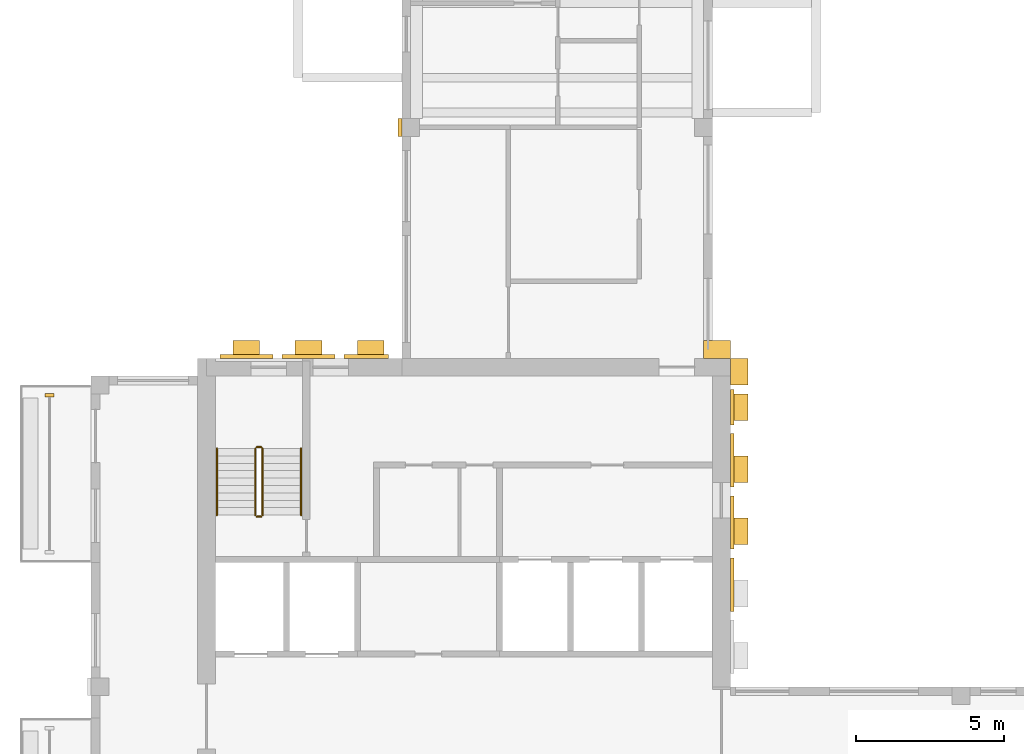
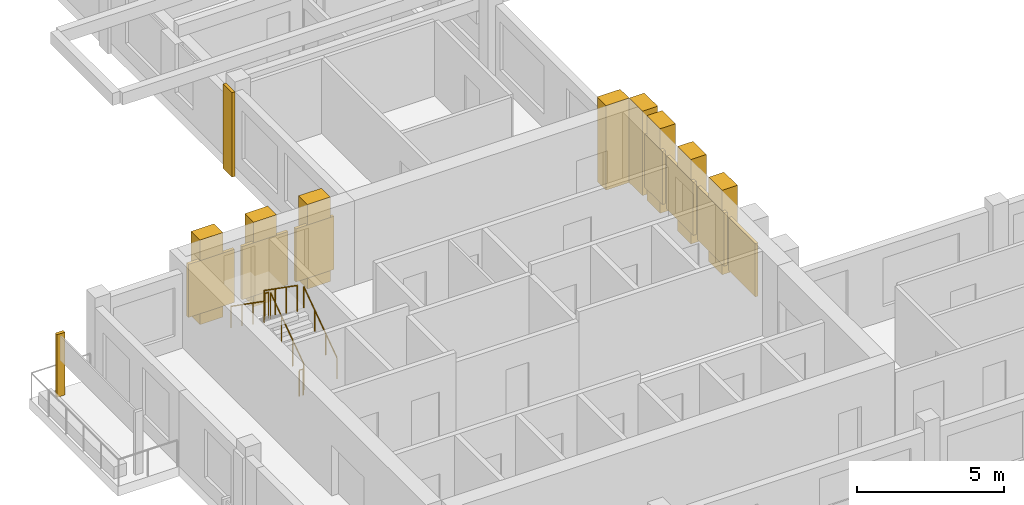
# One storey, part 8 of 10: 17 coverings, 6 railings.
"""IFC4 building model written with IfcOpenShell, lengths in metres."""

from ifc_helpers import new_model, si_unit, direction, frame, origin, origin_2d, place, context, subcontext, project, spatial, rectangle, circle, extrude, source, transform, mapped, material, type_object, element, save


model = new_model("IFC4")

# Units and contexts
model_context = context("Model", 3, precision=1e-05, world=origin(), true_north=direction((0.0, 1.0)))
body_context = subcontext(model_context, "Body", "Model", "MODEL_VIEW")
ifc_project = project(units=[si_unit("LENGTHUNIT", "METRE"), si_unit("AREAUNIT", "SQUARE_METRE"), si_unit("VOLUMEUNIT", "CUBIC_METRE"), si_unit("PLANEANGLEUNIT", "RADIAN"), si_unit("MASSUNIT", "GRAM", prefix="KILO")], contexts=[model_context])

# Site, building, storey
site_placement = place(None, origin())
site = spatial("IfcSite", under=ifc_project, at=site_placement, CompositionType="ELEMENT")
building_placement = place(site_placement, origin())
building = spatial("IfcBuilding", under=site, at=building_placement, Name="Aurelian Terraces", CompositionType="ELEMENT")
storey_placement = place(building_placement, frame((0.0, 0.0, 326.5)))
storey = spatial("IfcBuildingStorey", under=building, at=storey_placement, Name="L76", CompositionType="ELEMENT", Elevation=326.5)

# Coverings
ifc_material_1 = material(Name="Terracotta rainscreen cladding relief", Category="masonry")
covering_type_1 = type_object("IfcCoveringType", Name="FIN-TC", PredefinedType="CLADDING", material=ifc_material_1)
shared_shape_1 = source(origin(), body_context, "Body", "SweptSolid", [
    extrude(rectangle(XDim=0.3, YDim=0.12, at=origin_2d()), origin(), (0.0, 0.0, 1.0), 2.6),
])
covering_1_placement = place(storey_placement, frame((-1.4, 20.35, 0.0), z_axis=(0.0, 0.0, 1.0), x_axis=(1.0, 0.0, 0.0)))
element("IfcCovering", 1, at=covering_1_placement, inside=storey, type_object=covering_type_1, Name="FIN L76 L76-F12-20.1", PredefinedType="CLADDING", context=body_context, shape_type="MappedRepresentation", body=[
    mapped(shared_shape_1, transform((0.0, 0.0, 0.0), scale=1.0)),
])
ifc_material_2 = material(Name="Terracotta rainscreen cladding louvre blades", Category="masonry")
covering_type_2 = type_object("IfcCoveringType", Name="LOUVRE-TC", PredefinedType="CLADDING", material=ifc_material_2)
shared_shape_2 = source(origin(), body_context, "Body", "SweptSolid", [
    extrude(rectangle(XDim=0.12, YDim=1.8, at=origin_2d()), origin(), (0.0, 0.0, 1.0), 2.2),
])
for number, where, z_axis, x_axis, name in (
    (2, (21.66, 13.95, 0.45), (0.0, 0.0, 1.0), (1.0, 0.0, 0.0), "LOUVRE L76 core face E.2"),
    (3, (21.66, 16.05, 0.45), (0.0, 0.0, 1.0), (1.0, 0.0, 0.0), "LOUVRE L76 core face E.3"),
    (4, (21.66, 18.15, 0.45), (0.0, 0.0, 1.0), (1.0, 0.0, 0.0), "LOUVRE L76 core face E.4"),
):
    element("IfcCovering", number, at=place(storey_placement, frame(where, z_axis=z_axis, x_axis=x_axis)), inside=storey, type_object=covering_type_2, Name=name, PredefinedType="CLADDING", context=body_context, shape_type="MappedRepresentation", body=[
        mapped(shared_shape_2, transform((0.0, 0.0, 0.0), scale=1.0)),
    ])
shared_shape_3 = source(origin(), body_context, "Body", "SweptSolid", [
    extrude(rectangle(XDim=1.8, YDim=0.12, at=origin_2d()), origin(), (0.0, 0.0, 1.0), 2.2),
])
for number, where, z_axis, x_axis, name in (
    (5, (5.25, 21.66, 0.45), (0.0, 0.0, 1.0), (1.0, 0.0, 0.0), "LOUVRE L76 core face N.1"),
    (6, (7.35, 21.66, 0.45), (0.0, 0.0, 1.0), (1.0, 0.0, 0.0), "LOUVRE L76 core face N.2"),
):
    element("IfcCovering", number, at=place(storey_placement, frame(where, z_axis=z_axis, x_axis=x_axis)), inside=storey, type_object=covering_type_2, Name=name, PredefinedType="CLADDING", context=body_context, shape_type="MappedRepresentation", body=[
        mapped(shared_shape_3, transform((0.0, 0.0, 0.0), scale=1.0)),
    ])
shared_shape_4 = source(origin(), body_context, "Body", "SweptSolid", [
    extrude(rectangle(XDim=0.12, YDim=1.2, at=origin_2d()), origin(), (0.0, 0.0, 1.0), 2.2),
])
covering_2_placement = place(storey_placement, frame((21.66, 19.95, 0.45), z_axis=(0.0, 0.0, 1.0), x_axis=(1.0, 0.0, 0.0)))
element("IfcCovering", 7, at=covering_2_placement, inside=storey, type_object=covering_type_2, Name="LOUVRE L76 core face E.5", PredefinedType="CLADDING", context=body_context, shape_type="MappedRepresentation", body=[
    mapped(shared_shape_4, transform((0.0, 0.0, 0.0), scale=1.0)),
])
shared_shape_5 = source(origin(), body_context, "Body", "SweptSolid", [
    extrude(rectangle(XDim=1.5, YDim=0.12, at=origin_2d()), origin(), (0.0, 0.0, 1.0), 2.2),
])
covering_3_placement = place(storey_placement, frame((9.3, 21.66, 0.45), z_axis=(0.0, 0.0, 1.0), x_axis=(1.0, 0.0, 0.0)))
element("IfcCovering", 8, at=covering_3_placement, inside=storey, type_object=covering_type_2, Name="LOUVRE L76 core face N.3", PredefinedType="CLADDING", context=body_context, shape_type="MappedRepresentation", body=[
    mapped(shared_shape_5, transform((0.0, 0.0, 0.0), scale=1.0)),
])
covering_type_3 = type_object("IfcCoveringType", Name="BAGUETTE-TC", PredefinedType="CLADDING", material=ifc_material_1)
shared_shape_6 = source(origin(), body_context, "Body", "SweptSolid", [
    extrude(rectangle(XDim=0.12, YDim=0.6, at=origin_2d()), origin(), (0.0, 0.0, 1.0), 3.5),
])
covering_4_placement = place(storey_placement, frame((10.44, 29.4, -0.4), z_axis=(0.0, 0.0, 1.0), x_axis=(1.0, 0.0, 0.0)))
element("IfcCovering", 9, at=covering_4_placement, inside=storey, type_object=covering_type_3, Name="BAGUETTE pier L76 6", PredefinedType="CLADDING", context=body_context, shape_type="MappedRepresentation", body=[
    mapped(shared_shape_6, transform((0.0, 0.0, 0.0), scale=1.0)),
])

# Railings
ifc_material_3 = material(Name="Stainless steel", Category="steel")
railing_type_1 = type_object("IfcRailingType", Name="Stair guard 1100", PredefinedType="GUARDRAIL", material=ifc_material_3)
shared_shape_7 = source(origin(), body_context, "Body", "SweptSolid", [
    extrude(circle(Radius=0.024, at=origin_2d()), frame((0.0, 0.0, 1.076), z_axis=(-1.0, 0.0, 0.0), x_axis=(0.0, -1.0, 0.0)), (0.0, 0.0, 1.0), 0.15),
    extrude(circle(Radius=0.021, at=origin_2d()), origin(), (0.0, 0.0, 1.0), 1.052),
    extrude(circle(Radius=0.021, at=origin_2d()), frame((-0.15, 0.0, 0.0)), (0.0, 0.0, 1.0), 1.052),
])
for number, where, name in (
    (10, (5.75, 18.6, 1.75), "L76 S1 stair guard 2"),
    (11, (5.75, 16.25, 0.0), "L76 S1 stair guard 4"),
):
    element("IfcRailing", number, at=place(storey_placement, frame(where)), inside=storey, type_object=railing_type_1, Name=name, PredefinedType="GUARDRAIL", context=body_context, shape_type="MappedRepresentation", body=[
        mapped(shared_shape_7, transform((0.0, 0.0, 0.0), scale=1.0)),
    ])
shared_shape_8 = source(origin(), body_context, "Body", "SweptSolid", [
    extrude(circle(Radius=0.024, at=origin_2d()), frame((0.0, 0.0, 1.076), z_axis=(0.0, 0.819231920519, 0.573462344363), x_axis=(-1.0, 0.0, 0.0)), (0.0, 0.0, 1.0), 2.7465),
    extrude(circle(Radius=0.021, at=origin_2d()), origin(), (0.0, 0.0, 1.0), 1.052),
    extrude(circle(Radius=0.021, at=origin_2d()), frame((0.0, 0.75, 0.525)), (0.0, 0.0, 1.0), 1.052),
    extrude(circle(Radius=0.021, at=origin_2d()), frame((0.0, 1.5, 1.05)), (0.0, 0.0, 1.0), 1.052),
    extrude(circle(Radius=0.021, at=origin_2d()), frame((0.0, 2.25, 1.575)), (0.0, 0.0, 1.0), 1.052),
])
railing_1_placement = place(storey_placement, frame((5.8, 16.3, 0.175)))
element("IfcRailing", 12, at=railing_1_placement, inside=storey, type_object=railing_type_1, Name="L76 S1 stair guard 1", PredefinedType="GUARDRAIL", context=body_context, shape_type="MappedRepresentation", body=[
    mapped(shared_shape_8, transform((0.0, 0.0, 0.0), scale=1.0)),
])
shared_shape_9 = source(origin(), body_context, "Body", "SweptSolid", [
    extrude(circle(Radius=0.024, at=origin_2d()), frame((0.0, 0.0, 1.076), z_axis=(0.0, -0.819231920519, 0.573462344363), x_axis=(1.0, 0.0, 0.0)), (0.0, 0.0, 1.0), 2.7465),
    extrude(circle(Radius=0.021, at=origin_2d()), origin(), (0.0, 0.0, 1.0), 1.052),
    extrude(circle(Radius=0.021, at=origin_2d()), frame((0.0, -0.75, 0.525)), (0.0, 0.0, 1.0), 1.052),
    extrude(circle(Radius=0.021, at=origin_2d()), frame((0.0, -1.5, 1.05)), (0.0, 0.0, 1.0), 1.052),
    extrude(circle(Radius=0.021, at=origin_2d()), frame((0.0, -2.25, 1.575)), (0.0, 0.0, 1.0), 1.052),
])
railing_2_placement = place(storey_placement, frame((5.55, 18.55, 1.925)))
element("IfcRailing", 13, at=railing_2_placement, inside=storey, type_object=railing_type_1, Name="L76 S1 stair guard 3", PredefinedType="GUARDRAIL", context=body_context, shape_type="MappedRepresentation", body=[
    mapped(shared_shape_9, transform((0.0, 0.0, 0.0), scale=1.0)),
])
railing_type_2 = type_object("IfcRailingType", Name="Stair handrail", PredefinedType="HANDRAIL", material=ifc_material_3)
shared_shape_10 = source(origin(), body_context, "Body", "SweptSolid", [
    extrude(circle(Radius=0.024, at=origin_2d()), frame((0.0, 0.0, 0.876), z_axis=(0.0, 0.819231920519, 0.573462344363), x_axis=(-1.0, 0.0, 0.0)), (0.0, 0.0, 1.0), 2.7465),
    extrude(circle(Radius=0.021, at=origin_2d()), origin(), (0.0, 0.0, 1.0), 0.852),
    extrude(circle(Radius=0.021, at=origin_2d()), frame((0.0, 0.75, 0.525)), (0.0, 0.0, 1.0), 0.852),
    extrude(circle(Radius=0.021, at=origin_2d()), frame((0.0, 1.5, 1.05)), (0.0, 0.0, 1.0), 0.852),
    extrude(circle(Radius=0.021, at=origin_2d()), frame((0.0, 2.25, 1.575)), (0.0, 0.0, 1.0), 0.852),
])
railing_3_placement = place(storey_placement, frame((7.1, 16.3, 0.175)))
element("IfcRailing", 14, at=railing_3_placement, inside=storey, type_object=railing_type_2, Name="L76 S1 stair handrail 1", PredefinedType="HANDRAIL", context=body_context, shape_type="MappedRepresentation", body=[
    mapped(shared_shape_10, transform((0.0, 0.0, 0.0), scale=1.0)),
])
shared_shape_11 = source(origin(), body_context, "Body", "SweptSolid", [
    extrude(circle(Radius=0.024, at=origin_2d()), frame((0.0, 0.0, 0.876), z_axis=(0.0, -0.819231920519, 0.573462344363), x_axis=(1.0, 0.0, 0.0)), (0.0, 0.0, 1.0), 2.7465),
    extrude(circle(Radius=0.021, at=origin_2d()), origin(), (0.0, 0.0, 1.0), 0.852),
    extrude(circle(Radius=0.021, at=origin_2d()), frame((0.0, -0.75, 0.525)), (0.0, 0.0, 1.0), 0.852),
    extrude(circle(Radius=0.021, at=origin_2d()), frame((0.0, -1.5, 1.05)), (0.0, 0.0, 1.0), 0.852),
    extrude(circle(Radius=0.021, at=origin_2d()), frame((0.0, -2.25, 1.575)), (0.0, 0.0, 1.0), 0.852),
])
railing_4_placement = place(storey_placement, frame((4.25, 18.55, 1.925)))
element("IfcRailing", 15, at=railing_4_placement, inside=storey, type_object=railing_type_2, Name="L76 S1 stair handrail 2", PredefinedType="HANDRAIL", context=body_context, shape_type="MappedRepresentation", body=[
    mapped(shared_shape_11, transform((0.0, 0.0, 0.0), scale=1.0)),
])

# Coverings
covering_type_4 = type_object("IfcCoveringType", Name="Core spine pier 900x600", PredefinedType="CLADDING", material=ifc_material_1)
shared_shape_12 = source(origin(), body_context, "Body", "SweptSolid", [
    extrude(rectangle(XDim=0.6, YDim=0.9, at=origin_2d()), origin(), (0.0, 0.0, 1.0), 3.5),
])
for number, where, z_axis, x_axis, name in (
    (16, (21.9, 15.75, 0.0), (0.0, 0.0, 1.0), (1.0, 0.0, 0.0), "Spine pier L76 E3"),
    (17, (21.9, 17.85, 0.0), (0.0, 0.0, 1.0), (1.0, 0.0, 0.0), "Spine pier L76 E4"),
    (18, (21.9, 19.95, 0.0), (0.0, 0.0, 1.0), (1.0, 0.0, 0.0), "Spine pier L76 E5"),
    (19, (21.9, 21.15, 0.0), (0.0, 0.0, 1.0), (1.0, 0.0, 0.0), "Spine pier L76 corner east"),
):
    element("IfcCovering", number, at=place(storey_placement, frame(where, z_axis=z_axis, x_axis=x_axis)), inside=storey, type_object=covering_type_4, Name=name, PredefinedType="CLADDING", context=body_context, shape_type="MappedRepresentation", body=[
        mapped(shared_shape_12, transform((0.0, 0.0, 0.0), scale=1.0)),
    ])
shared_shape_13 = source(origin(), body_context, "Body", "SweptSolid", [
    extrude(rectangle(XDim=0.9, YDim=0.6, at=origin_2d()), origin(), (0.0, 0.0, 1.0), 3.5),
])
for number, where, z_axis, x_axis, name in (
    (20, (5.25, 21.9, 0.0), (0.0, 0.0, 1.0), (1.0, 0.0, 0.0), "Spine pier L76 N6"),
    (21, (7.35, 21.9, 0.0), (0.0, 0.0, 1.0), (1.0, 0.0, 0.0), "Spine pier L76 N7"),
    (22, (9.45, 21.9, 0.0), (0.0, 0.0, 1.0), (1.0, 0.0, 0.0), "Spine pier L76 N8"),
    (23, (21.15, 21.9, 0.0), (0.0, 0.0, 1.0), (1.0, 0.0, 0.0), "Spine pier L76 corner north"),
):
    element("IfcCovering", number, at=place(storey_placement, frame(where, z_axis=z_axis, x_axis=x_axis)), inside=storey, type_object=covering_type_4, Name=name, PredefinedType="CLADDING", context=body_context, shape_type="MappedRepresentation", body=[
        mapped(shared_shape_13, transform((0.0, 0.0, 0.0), scale=1.0)),
    ])

save(model, "model.ifc")
